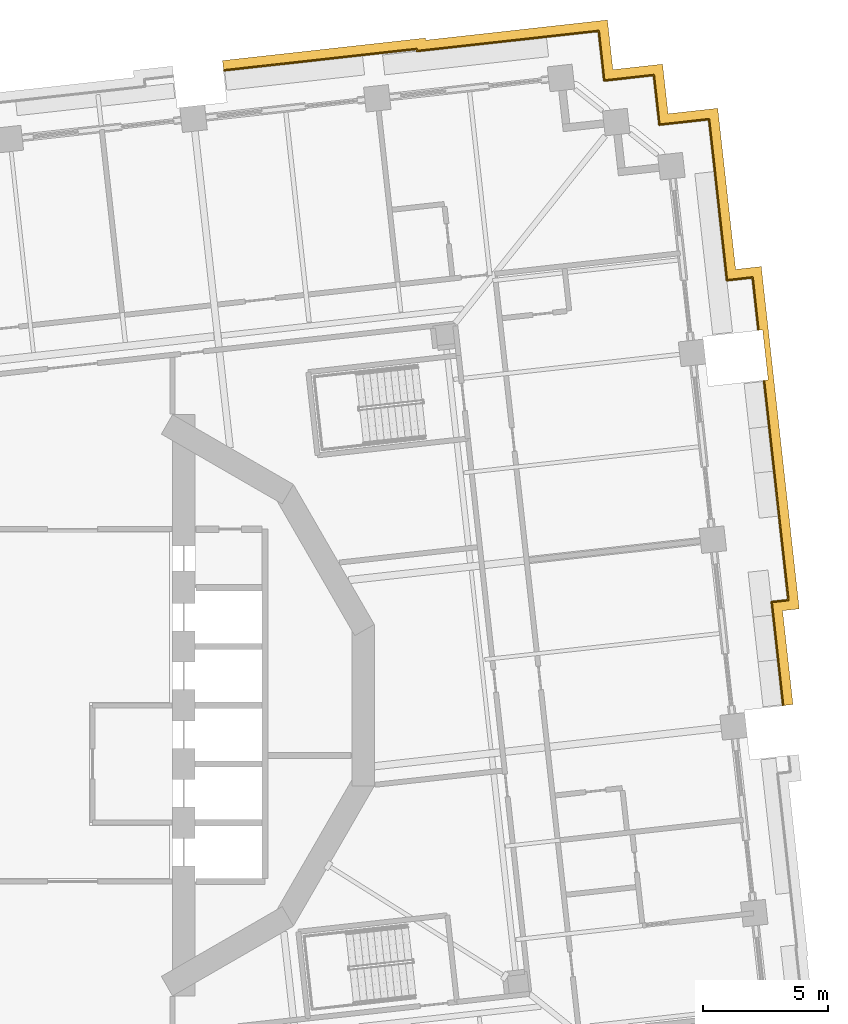
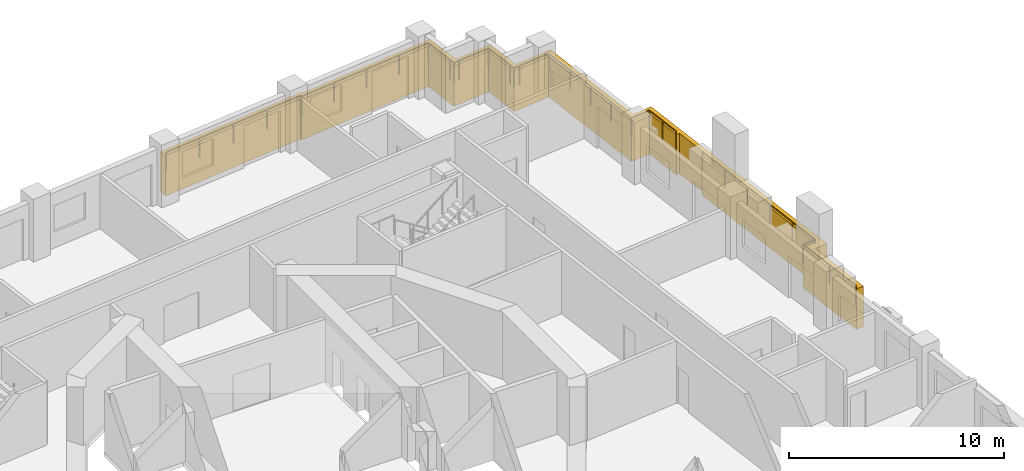
# One storey, part 18 of 19: 3 railings, 1 covering.
"""IFC4 building model written with IfcOpenShell, lengths in metres."""

from ifc_helpers import new_model, si_unit, direction, frame, origin, origin_2d, place, context, subcontext, project, spatial, polyline, circle, outline, extrude, material, type_object, element, save


model = new_model("IFC4")

# Units and contexts
model_context = context("Model", 3, precision=1e-05, world=origin(), true_north=direction((0.0, 1.0)))
body_context = subcontext(model_context, "Body", "Model", "MODEL_VIEW")
ifc_project = project(units=[si_unit("LENGTHUNIT", "METRE"), si_unit("AREAUNIT", "SQUARE_METRE"), si_unit("VOLUMEUNIT", "CUBIC_METRE"), si_unit("PLANEANGLEUNIT", "RADIAN"), si_unit("MASSUNIT", "GRAM", prefix="KILO")], contexts=[model_context])

# Site, building, storey
site_placement = place(None, origin())
site = spatial("IfcSite", under=ifc_project, at=site_placement, CompositionType="ELEMENT")
building_placement = place(site_placement, origin())
building = spatial("IfcBuilding", under=site, at=building_placement, Name="Cantera Rosa Tower", CompositionType="ELEMENT")
storey_placement = place(building_placement, frame((0.0, 0.0, 65.300048828125)))
storey = spatial("IfcBuildingStorey", under=building, at=storey_placement, Name="L13", CompositionType="ELEMENT", Elevation=65.300048828125)

# Railings
ifc_material_1 = material(Name="Stainless steel and laminated glass", Category="steel")
railing_type = type_object("IfcRailingType", Name="GUARD 1100", PredefinedType="BALUSTRADE", material=ifc_material_1)
railing_1_placement = place(storey_placement, frame((27.669677734375, 12.9814453125, 0.0)))
element("IfcRailing", 1, at=railing_1_placement, inside=storey, type_object=railing_type, Name="GUARD L13-9", PredefinedType="BALUSTRADE", context=body_context, shape_type="SweptSolid", body=[
    extrude(circle(Radius=0.030029296875, at=origin_2d()), frame((0.0, 0.0, 1.070068359375), z_axis=(0.110300926384, -0.993898237064, 0.0), x_axis=(0.993898237064, 0.110300926384, 0.0)), (0.0, 0.0, 1.0), 8.82275390625),
    extrude(circle(Radius=0.030029296875, at=origin_2d()), frame((0.97314453125, -8.768798828125, 1.070068359375), z_axis=(-0.993905824937, -0.110232532208, 0.0), x_axis=(0.110232532208, -0.993905824937, 0.0)), (0.0, 0.0, 1.0), 0.67333984375),
    extrude(circle(Radius=0.030029296875, at=origin_2d()), frame((0.303955078125, -8.843017578125, 1.070068359375), z_axis=(0.110347732508, -0.993893041494, 0.0), x_axis=(0.993893041494, 0.110347732508, 0.0)), (0.0, 0.0, 1.0), 4.1572265625),
    extrude(circle(Radius=0.02490234375, at=origin_2d()), origin(), (0.0, 0.0, 1.0), 1.0400390625),
    extrude(circle(Radius=0.02490234375, at=origin_2d()), frame((0.194580078125, -1.753662109375, 0.0)), (0.0, 0.0, 1.0), 1.0400390625),
    extrude(circle(Radius=0.02490234375, at=origin_2d()), frame((0.38916015625, -3.507568359375, 0.0)), (0.0, 0.0, 1.0), 1.0400390625),
    extrude(circle(Radius=0.02490234375, at=origin_2d()), frame((0.583984375, -5.26123046875, 0.0)), (0.0, 0.0, 1.0), 1.0400390625),
    extrude(circle(Radius=0.02490234375, at=origin_2d()), frame((0.778564453125, -7.01513671875, 0.0)), (0.0, 0.0, 1.0), 1.0400390625),
    extrude(circle(Radius=0.02490234375, at=origin_2d()), frame((0.97314453125, -8.768798828125, 0.0)), (0.0, 0.0, 1.0), 1.0400390625),
    extrude(circle(Radius=0.02490234375, at=origin_2d()), frame((0.303955078125, -8.843017578125, 0.0)), (0.0, 0.0, 1.0), 1.0400390625),
    extrude(circle(Radius=0.02490234375, at=origin_2d()), frame((0.533203125, -10.908935546875, 0.0)), (0.0, 0.0, 1.0), 1.0400390625),
    extrude(circle(Radius=0.02490234375, at=origin_2d()), frame((0.7626953125, -12.974853515625, 0.0)), (0.0, 0.0, 1.0), 1.0400390625),
])
railing_2_placement = place(storey_placement, frame((25.46826171875, 23.45263671875, 0.0)))
element("IfcRailing", 2, at=railing_2_placement, inside=storey, type_object=railing_type, Name="GUARD L13-10", PredefinedType="BALUSTRADE", context=body_context, shape_type="SweptSolid", body=[
    extrude(circle(Radius=0.030029296875, at=origin_2d()), frame((0.0, 0.0, 1.070068359375), z_axis=(0.110289669906, -0.993899486222, 0.0), x_axis=(0.993899486222, 0.110289669906, 0.0)), (0.0, 0.0, 1.0), 1.699951171875),
    extrude(circle(Radius=0.030029296875, at=origin_2d()), frame((0.1875, -1.689697265625, 1.070068359375), z_axis=(0.110308384039, -0.993897409399, 0.0), x_axis=(0.993897409399, 0.110308384039, 0.0)), (0.0, 0.0, 1.0), 4.787353515625),
    extrude(circle(Radius=0.030029296875, at=origin_2d()), frame((0.715576171875, -6.44775390625, 1.070068359375), z_axis=(0.993889498172, 0.110379642247, 0.0), x_axis=(-0.110379642247, 0.993889498172, 0.0)), (0.0, 0.0, 1.0), 1.032958984375),
    extrude(circle(Radius=0.030029296875, at=origin_2d()), frame((1.7421875, -6.333740234375, 1.070068359375), z_axis=(0.110304087838, -0.993897886207, 0.0), x_axis=(0.993897886207, 0.110304087838, 0.0)), (0.0, 0.0, 1.0), 2.102783203125),
    extrude(circle(Radius=0.02490234375, at=origin_2d()), origin(), (0.0, 0.0, 1.0), 1.0400390625),
    extrude(circle(Radius=0.02490234375, at=origin_2d()), frame((0.1875, -1.689697265625, 0.0)), (0.0, 0.0, 1.0), 1.0400390625),
    extrude(circle(Radius=0.02490234375, at=origin_2d()), frame((0.363525390625, -3.275634765625, 0.0)), (0.0, 0.0, 1.0), 1.0400390625),
    extrude(circle(Radius=0.02490234375, at=origin_2d()), frame((0.53955078125, -4.86181640625, 0.0)), (0.0, 0.0, 1.0), 1.0400390625),
    extrude(circle(Radius=0.02490234375, at=origin_2d()), frame((0.715576171875, -6.44775390625, 0.0)), (0.0, 0.0, 1.0), 1.0400390625),
    extrude(circle(Radius=0.02490234375, at=origin_2d()), frame((1.7421875, -6.333740234375, 0.0)), (0.0, 0.0, 1.0), 1.0400390625),
    extrude(circle(Radius=0.02490234375, at=origin_2d()), frame((1.858154296875, -7.378662109375, 0.0)), (0.0, 0.0, 1.0), 1.0400390625),
    extrude(circle(Radius=0.02490234375, at=origin_2d()), frame((1.97412109375, -8.423583984375, 0.0)), (0.0, 0.0, 1.0), 1.0400390625),
])
railing_3_placement = place(storey_placement, frame((6.06396484375, 25.4091796875, 0.0)))
element("IfcRailing", 3, at=railing_3_placement, inside=storey, type_object=railing_type, Name="GUARD L13-11", PredefinedType="BALUSTRADE", context=body_context, shape_type="SweptSolid", body=[
    extrude(circle(Radius=0.030029296875, at=origin_2d()), frame((0.0, 0.0, 1.070068359375), z_axis=(0.993897547531, 0.110307139445, 0.0), x_axis=(-0.110307139445, 0.993897547531, 0.0)), (0.0, 0.0, 1.0), 7.75537109375),
    extrude(circle(Radius=0.030029296875, at=origin_2d()), frame((7.7080078125, 0.85546875, 1.070068359375), z_axis=(0.108859286546, -0.994057169248, 0.0), x_axis=(0.994057169248, 0.108859286546, 0.0)), (0.0, 0.0, 1.0), 0.085205078125),
    extrude(circle(Radius=0.030029296875, at=origin_2d()), frame((7.71728515625, 0.770751953125, 1.070068359375), z_axis=(0.993896984026, 0.110312216663, 0.0), x_axis=(-0.110312216663, 0.993896984026, 0.0)), (0.0, 0.0, 1.0), 5.61474609375),
    extrude(circle(Radius=0.030029296875, at=origin_2d()), frame((13.2978515625, 1.39013671875, 1.070068359375), z_axis=(0.993883734674, 0.110431526075, 0.0), x_axis=(-0.110431526075, 0.993883734674, 0.0)), (0.0, 0.0, 1.0), 1.7001953125),
    extrude(circle(Radius=0.030029296875, at=origin_2d()), frame((14.987548828125, 1.577880859375, 1.070068359375), z_axis=(0.110289669906, -0.993899486222, 0.0), x_axis=(0.993899486222, 0.110289669906, 0.0)), (0.0, 0.0, 1.0), 1.699951171875),
    extrude(circle(Radius=0.030029296875, at=origin_2d()), frame((15.175048828125, -0.11181640625, 1.070068359375), z_axis=(0.110699535641, -0.99385391925, 0.0), x_axis=(0.99385391925, 0.110699535641, 0.0)), (0.0, 0.0, 1.0), 0.300048828125),
    extrude(circle(Radius=0.030029296875, at=origin_2d()), frame((15.208251953125, -0.409912109375, 1.070068359375), z_axis=(0.993943154022, 0.10989543472, 0.0), x_axis=(-0.10989543472, 0.993943154022, 0.0)), (0.0, 0.0, 1.0), 0.2998046875),
    extrude(circle(Radius=0.030029296875, at=origin_2d()), frame((15.50634765625, -0.376953125, 1.070068359375), z_axis=(0.993899486222, 0.110289669906, 0.0), x_axis=(-0.110289669906, 0.993899486222, 0.0)), (0.0, 0.0, 1.0), 1.699951171875),
    extrude(circle(Radius=0.030029296875, at=origin_2d()), frame((17.196044921875, -0.189453125, 1.070068359375), z_axis=(0.110305413813, -0.993897739047, 0.0), x_axis=(0.993897739047, 0.110305413813, 0.0)), (0.0, 0.0, 1.0), 1.69970703125),
    extrude(circle(Radius=0.030029296875, at=origin_2d()), frame((17.383544921875, -1.87890625, 1.070068359375), z_axis=(0.1098065887, -0.993952973273, 0.0), x_axis=(0.993952973273, 0.1098065887, 0.0)), (0.0, 0.0, 1.0), 0.300048828125),
    extrude(circle(Radius=0.030029296875, at=origin_2d()), frame((17.41650390625, -2.17724609375, 1.070068359375), z_axis=(0.993863881828, 0.110610055588, 0.0), x_axis=(-0.110610055588, 0.993863881828, 0.0)), (0.0, 0.0, 1.0), 0.30029296875),
    extrude(circle(Radius=0.030029296875, at=origin_2d()), frame((17.71484375, -2.14404296875, 1.070068359375), z_axis=(0.993897739047, 0.110305413813, 0.0), x_axis=(-0.110305413813, 0.993897739047, 0.0)), (0.0, 0.0, 1.0), 1.69970703125),
    extrude(circle(Radius=0.02490234375, at=origin_2d()), origin(), (0.0, 0.0, 1.0), 1.0400390625),
    extrude(circle(Radius=0.02490234375, at=origin_2d()), frame((1.927001953125, 0.2138671875, 0.0)), (0.0, 0.0, 1.0), 1.0400390625),
    extrude(circle(Radius=0.02490234375, at=origin_2d()), frame((3.85400390625, 0.427734375, 0.0)), (0.0, 0.0, 1.0), 1.0400390625),
    extrude(circle(Radius=0.02490234375, at=origin_2d()), frame((5.781005859375, 0.6416015625, 0.0)), (0.0, 0.0, 1.0), 1.0400390625),
    extrude(circle(Radius=0.02490234375, at=origin_2d()), frame((7.7080078125, 0.85546875, 0.0)), (0.0, 0.0, 1.0), 1.0400390625),
    extrude(circle(Radius=0.02490234375, at=origin_2d()), frame((7.71728515625, 0.770751953125, 0.0)), (0.0, 0.0, 1.0), 1.0400390625),
    extrude(circle(Radius=0.02490234375, at=origin_2d()), frame((9.577392578125, 0.977294921875, 0.0)), (0.0, 0.0, 1.0), 1.0400390625),
    extrude(circle(Radius=0.02490234375, at=origin_2d()), frame((11.437744140625, 1.18359375, 0.0)), (0.0, 0.0, 1.0), 1.0400390625),
    extrude(circle(Radius=0.02490234375, at=origin_2d()), frame((13.2978515625, 1.39013671875, 0.0)), (0.0, 0.0, 1.0), 1.0400390625),
    extrude(circle(Radius=0.02490234375, at=origin_2d()), frame((14.987548828125, 1.577880859375, 0.0)), (0.0, 0.0, 1.0), 1.0400390625),
    extrude(circle(Radius=0.02490234375, at=origin_2d()), frame((15.175048828125, -0.11181640625, 0.0)), (0.0, 0.0, 1.0), 1.0400390625),
    extrude(circle(Radius=0.02490234375, at=origin_2d()), frame((15.208251953125, -0.409912109375, 0.0)), (0.0, 0.0, 1.0), 1.0400390625),
    extrude(circle(Radius=0.02490234375, at=origin_2d()), frame((15.50634765625, -0.376953125, 0.0)), (0.0, 0.0, 1.0), 1.0400390625),
    extrude(circle(Radius=0.02490234375, at=origin_2d()), frame((17.196044921875, -0.189453125, 0.0)), (0.0, 0.0, 1.0), 1.0400390625),
    extrude(circle(Radius=0.02490234375, at=origin_2d()), frame((17.383544921875, -1.87890625, 0.0)), (0.0, 0.0, 1.0), 1.0400390625),
    extrude(circle(Radius=0.02490234375, at=origin_2d()), frame((17.41650390625, -2.17724609375, 0.0)), (0.0, 0.0, 1.0), 1.0400390625),
    extrude(circle(Radius=0.02490234375, at=origin_2d()), frame((17.71484375, -2.14404296875, 0.0)), (0.0, 0.0, 1.0), 1.0400390625),
    extrude(circle(Radius=0.02490234375, at=origin_2d()), frame((19.404296875, -1.95654296875, 0.0)), (0.0, 0.0, 1.0), 1.0400390625),
])

# Covering
ifc_material_2 = material(Name="Cantera stone", Category="masonry")
covering_type = type_object("IfcCoveringType", Name="TRAY FASCIA 400", PredefinedType="CLADDING", material=ifc_material_2)
covering_placement = place(storey_placement, frame((0.0, 0.0, -1.400146484375)))
element("IfcCovering", 4, at=covering_placement, inside=storey, type_object=covering_type, Name="TRAY FASCIA L13-05", PredefinedType="CLADDING", context=body_context, shape_type="SweptSolid", body=[
    extrude(outline(polyline([(14.125244140625, 26.706298828125), (14.134765625, 26.621826171875), (19.317626953125, 27.197021484375), (21.405029296875, 27.4287109375), (21.62548828125, 25.44091796875), (23.61328125, 25.661376953125), (23.833984375, 23.673583984375), (25.82177734375, 23.894287109375), (26.053466796875, 21.80712890625), (26.537353515625, 17.446533203125), (27.563720703125, 17.560546875), (29.08447265625, 3.859130859375), (28.415283203125, 3.784912109375), (28.83203125, 0.03076171875), (28.4345703125, -0.013427734375), (27.9736328125, 4.138427734375), (28.642822265625, 4.212646484375), (27.66748046875, 13.00146484375), (27.83349609375, 13.019775390625), (27.83447265625, 13.02001953125), (27.83544921875, 13.020263671875), (27.83642578125, 13.0205078125), (27.83740234375, 13.02099609375), (27.838134765625, 13.021484375), (27.8388671875, 13.022216796875), (27.839599609375, 13.022705078125), (27.84033203125, 13.0234375), (27.8408203125, 13.0244140625), (27.84130859375, 13.025146484375), (27.841796875, 13.026123046875), (27.842041015625, 13.027099609375), (27.84228515625, 13.028076171875), (27.842529296875, 13.029052734375), (27.842529296875, 13.030029296875), (27.842529296875, 13.031005859375), (27.621826171875, 15.018798828125), (27.62158203125, 15.019775390625), (27.621337890625, 15.0205078125), (27.62109375, 15.021484375), (27.62060546875, 15.0224609375), (27.6201171875, 15.023193359375), (27.61962890625, 15.02392578125), (27.618896484375, 15.024658203125), (27.6181640625, 15.025390625), (27.617431640625, 15.02587890625), (27.616455078125, 15.0263671875), (27.615478515625, 15.02685546875), (27.61474609375, 15.027099609375), (27.61376953125, 15.02734375), (27.61279296875, 15.027587890625), (27.61181640625, 15.027587890625), (27.61083984375, 15.027587890625), (27.444580078125, 15.009033203125), (27.21044921875, 17.118896484375), (26.183837890625, 17.0048828125), (25.65576171875, 21.762939453125), (25.46826171875, 23.45263671875), (23.77880859375, 23.26513671875), (23.48046875, 23.23193359375), (23.447509765625, 23.5302734375), (23.260009765625, 25.2197265625), (21.5703125, 25.0322265625), (21.272216796875, 24.999267578125), (21.239013671875, 25.29736328125), (21.051513671875, 26.987060546875), (19.36181640625, 26.79931640625), (13.78125, 26.179931640625), (13.77197265625, 26.2646484375), (6.044189453125, 25.406982421875), (6.0, 25.804443359375), (14.125244140625, 26.706298828125)])), origin(), (0.0, 0.0, 1.0), 2.300048828125),
])

save(model, "model.ifc")
